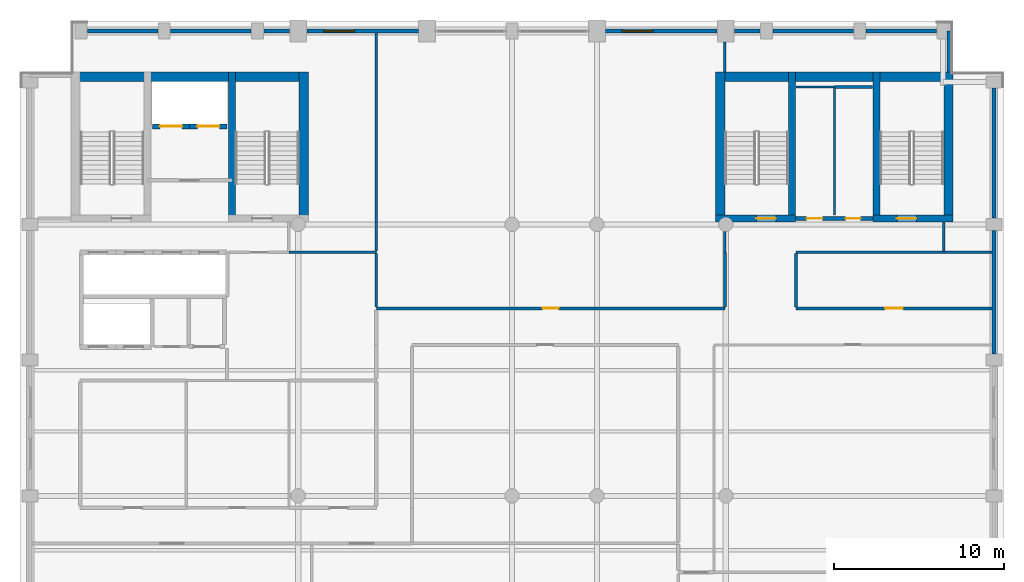
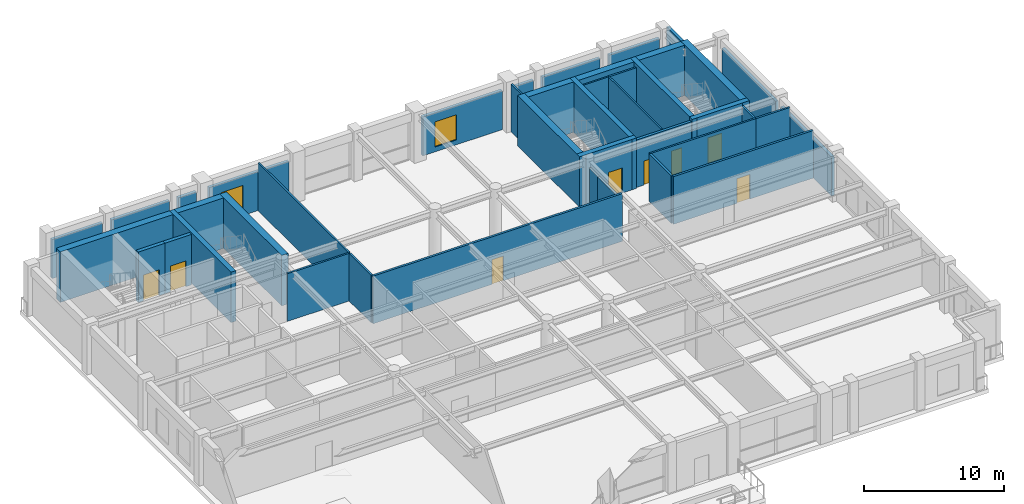
# One storey, part 9 of 13: 39 walls, 8 doors, 2 windows, 10 openings.
"""IFC4 building model written with IfcOpenShell, lengths in metres."""

from ifc_helpers import new_model, si_unit, direction, frame, frame_2d, origin, place, context, subcontext, project, spatial, rectangle, extrude, material, layer, layer_set, type_object, element, fill, save


model = new_model("IFC4")

# Units and contexts
model_context = context("Model", 3, precision=1e-05, world=origin(), true_north=direction((0.0, 1.0)))
body_context = subcontext(model_context, "Body", "Model", "MODEL_VIEW")
ifc_project = project(units=[si_unit("LENGTHUNIT", "METRE"), si_unit("AREAUNIT", "SQUARE_METRE"), si_unit("VOLUMEUNIT", "CUBIC_METRE"), si_unit("PLANEANGLEUNIT", "RADIAN"), si_unit("MASSUNIT", "GRAM", prefix="KILO")], contexts=[model_context])

# Site, building, storey
site_placement = place(None, origin())
site = spatial("IfcSite", under=ifc_project, at=site_placement, CompositionType="ELEMENT")
building_placement = place(site_placement, origin())
building = spatial("IfcBuilding", under=site, at=building_placement, Name="Sulina Concourse Tower", CompositionType="ELEMENT")
storey_placement = place(building_placement, frame((0.0, 0.0, 280.60009765625)))
storey = spatial("IfcBuildingStorey", under=building, at=storey_placement, Name="L68", CompositionType="ELEMENT", Elevation=280.60009765625)

# Wall, opening, door
ifc_material_1 = material(Name="Concrete C50/60", Category="concrete")
ifc_layer_1 = layer(ifc_material_1, 0.300048828125)
ifc_layer_set_1 = layer_set([ifc_layer_1], Name="Concrete C50/60")
wall_type_1 = type_object("IfcWallType", Name="Core Lift Hoistway Wall 300mm", PredefinedType="SOLIDWALL", material=ifc_layer_set_1)
wall_1_placement = place(storey_placement, frame((10.0, 39.780029296875, 0.0), z_axis=(0.0, 0.0, 1.0), x_axis=(-1.0, 0.0, 0.0)))
wall_1 = element("IfcWall", 1, at=wall_1_placement, inside=storey, type_object=wall_type_1, Name="L68 hoistway enclosure wall FFL-1", PredefinedType="SOLIDWALL", context=body_context, shape_type="SweptSolid", body=[
    extrude(rectangle(XDim=2.199951171875, YDim=0.300048828125, at=frame_2d((1.10009765625, 0.0))), origin(), (0.0, 0.0, 1.0), 4.39990234375),
])
opening_1_placement = place(wall_1_placement, frame((0.449951171875, 0.0, 0.0)))
opening_1 = element("IfcOpeningElement", 2, at=opening_1_placement, cuts=wall_1, Name="Opening LD-02", PredefinedType="OPENING", context=body_context, shape_type="SweptSolid", body=[
    extrude(rectangle(XDim=1.300048828125, YDim=2.25, at=frame_2d((0.64990234375, 1.125))), frame((0.0, 0.159912109375, 0.0), z_axis=(0.0, -1.0, 0.0), x_axis=(1.0, 0.0, 0.0)), (0.0, 0.0, 1.0), 0.320068359375),
])
ifc_material_2 = material(Name="Stainless steel lift landing door", Category="steel")
ifc_layer_2 = layer(ifc_material_2, 0.050048828125)
ifc_layer_set_2 = layer_set([ifc_layer_2], Name="Stainless steel lift landing door")
door_type_1 = type_object("IfcDoorType", Name="Firefighting Lift Sliding Landing Door 1300x2250", OperationType="SLIDING_TO_RIGHT", PredefinedType="DOOR", material=ifc_layer_set_2)
door_1_placement = place(opening_1_placement, origin())
door_1 = element("IfcDoor", 3, at=door_1_placement, inside=storey, type_object=door_type_1, Name="L68 lift landing sliding door FFL-1", OperationType="SLIDING_TO_LEFT", OverallHeight=2.25, OverallWidth=1.300048828125, PredefinedType="DOOR", context=body_context, shape_type="SweptSolid", body=[
    extrude(rectangle(XDim=1.300048828125, YDim=2.25, at=frame_2d((0.64990234375, 1.125))), frame((0.0, 0.02490234375, 0.0), z_axis=(0.0, -1.0, 0.0), x_axis=(1.0, 0.0, 0.0)), (0.0, 0.0, 1.0), 0.050048828125),
])
fill(opening_1, door_1)

wall_2_placement = place(storey_placement, frame((12.199951171875, 39.780029296875, 0.0), z_axis=(0.0, 0.0, 1.0), x_axis=(-1.0, 0.0, 0.0)))
wall_2 = element("IfcWall", 4, at=wall_2_placement, inside=storey, type_object=wall_type_1, Name="L68 hoistway enclosure wall FFL-2", PredefinedType="SOLIDWALL", context=body_context, shape_type="SweptSolid", body=[
    extrude(rectangle(XDim=2.199951171875, YDim=0.300048828125, at=frame_2d((1.10009765625, 0.0))), origin(), (0.0, 0.0, 1.0), 4.39990234375),
])
opening_2_placement = place(wall_2_placement, frame((0.449951171875, 0.0, 0.0)))
opening_2 = element("IfcOpeningElement", 5, at=opening_2_placement, cuts=wall_2, Name="Opening LD-02", PredefinedType="OPENING", context=body_context, shape_type="SweptSolid", body=[
    extrude(rectangle(XDim=1.300048828125, YDim=2.25, at=frame_2d((0.64990234375, 1.125))), frame((0.0, 0.159912109375, 0.0), z_axis=(0.0, -1.0, 0.0), x_axis=(1.0, 0.0, 0.0)), (0.0, 0.0, 1.0), 0.320068359375),
])
door_2_placement = place(opening_2_placement, origin())
door_2 = element("IfcDoor", 6, at=door_2_placement, inside=storey, type_object=door_type_1, Name="L68 lift landing sliding door FFL-2", OperationType="SLIDING_TO_RIGHT", OverallHeight=2.25, OverallWidth=1.300048828125, PredefinedType="DOOR", context=body_context, shape_type="SweptSolid", body=[
    extrude(rectangle(XDim=1.300048828125, YDim=2.25, at=frame_2d((0.64990234375, 1.125))), frame((0.0, 0.02490234375, 0.0), z_axis=(0.0, -1.0, 0.0), x_axis=(1.0, 0.0, 0.0)), (0.0, 0.0, 1.0), 0.050048828125),
])
fill(opening_2, door_2)

# Walls
ifc_material_3 = material(Name="Precast concrete C50/60", Category="concrete")
ifc_layer_3 = layer(ifc_material_3, 0.239990234375)
ifc_layer_set_3 = layer_set([ifc_layer_3], Name="Precast concrete C50/60")
wall_type_2 = type_object("IfcWallType", Name="Crown Precast Masonry-Frame Facade Wall 240mm", PredefinedType="SOLIDWALL", material=ifc_layer_set_3)
wall_3_placement = place(storey_placement, frame((3.969970703125, 45.39990234375, 0.0), z_axis=(0.0, 0.0, 1.0), x_axis=(1.0, 0.0, 0.0)))
element("IfcWall", 7, at=wall_3_placement, inside=storey, type_object=wall_type_2, Name="L68 exterior precast wall N1", PredefinedType="SOLIDWALL", context=body_context, shape_type="SweptSolid", body=[
    extrude(rectangle(XDim=4.159912109375, YDim=0.239990234375, at=frame_2d((2.080078125, 0.0))), origin(), (0.0, 0.0, 1.0), 3.39990234375),
])
wall_4_placement = place(storey_placement, frame((8.8701171875, 45.39990234375, 0.0), z_axis=(0.0, 0.0, 1.0), x_axis=(1.0, 0.0, 0.0)))
element("IfcWall", 8, at=wall_4_placement, inside=storey, type_object=wall_type_2, Name="L68 exterior precast wall N2", PredefinedType="SOLIDWALL", context=body_context, shape_type="SweptSolid", body=[
    extrude(rectangle(XDim=4.759765625, YDim=0.239990234375, at=frame_2d((2.3798828125, 0.0))), origin(), (0.0, 0.0, 1.0), 3.39990234375),
])
wall_5_placement = place(storey_placement, frame((14.3701171875, 45.39990234375, 0.0), z_axis=(0.0, 0.0, 1.0), x_axis=(1.0, 0.0, 0.0)))
element("IfcWall", 9, at=wall_5_placement, inside=storey, type_object=wall_type_2, Name="L68 exterior precast wall N3", PredefinedType="SOLIDWALL", context=body_context, shape_type="SweptSolid", body=[
    extrude(rectangle(XDim=1.509765625, YDim=0.239990234375, at=frame_2d((0.7548828125, 0.0))), origin(), (0.0, 0.0, 1.0), 3.39990234375),
])

# Wall, opening, window
wall_6_placement = place(storey_placement, frame((16.919921875, 45.39990234375, 0.0), z_axis=(0.0, 0.0, 1.0), x_axis=(1.0, 0.0, 0.0)))
wall_6 = element("IfcWall", 10, at=wall_6_placement, inside=storey, type_object=wall_type_2, Name="L68 exterior precast wall N4", PredefinedType="SOLIDWALL", context=body_context, shape_type="SweptSolid", body=[
    extrude(rectangle(XDim=6.56005859375, YDim=0.239990234375, at=frame_2d((3.280029296875, 0.0))), origin(), (0.0, 0.0, 1.0), 3.39990234375),
])
opening_3_placement = place(wall_6_placement, frame((0.98681640625, 0.0, 0.419921875)))
opening_3 = element("IfcOpeningElement", 11, at=opening_3_placement, cuts=wall_6, Name="Opening WN-25", PredefinedType="OPENING", context=body_context, shape_type="SweptSolid", body=[
    extrude(rectangle(XDim=1.800048828125, YDim=2.199951171875, at=frame_2d((0.89990234375, 1.10009765625))), frame((0.0, 0.1298828125, 0.0), z_axis=(0.0, -1.0, 0.0), x_axis=(1.0, 0.0, 0.0)), (0.0, 0.0, 1.0), 0.260009765625),
])
ifc_material_4 = material(Name="Low-E solar double glazing in bronze aluminium", Category="aluminium")
window_type = type_object("IfcWindowType", Name="Punched Masonry-Frame Window 1800x2200", PartitioningType="SINGLE_PANEL", PredefinedType="WINDOW", material=ifc_material_4)
window_1_placement = place(opening_3_placement, origin())
window_1 = element("IfcWindow", 12, at=window_1_placement, inside=storey, type_object=window_type, Name="L68 punched window N4-1", OverallHeight=2.199951171875, OverallWidth=1.800048828125, PartitioningType="SINGLE_PANEL", PredefinedType="WINDOW", context=body_context, shape_type="SweptSolid", body=[
    extrude(rectangle(XDim=1.800048828125, YDim=2.199951171875, at=frame_2d((0.89990234375, 1.10009765625))), frame((0.0, 0.030029296875, 0.0), z_axis=(0.0, -1.0, 0.0), x_axis=(1.0, 0.0, 0.0)), (0.0, 0.0, 1.0), 0.06005859375),
])
fill(opening_3, window_1)

wall_7_placement = place(storey_placement, frame((34.52001953125, 45.39990234375, 0.0), z_axis=(0.0, 0.0, 1.0), x_axis=(1.0, 0.0, 0.0)))
wall_7 = element("IfcWall", 13, at=wall_7_placement, inside=storey, type_object=wall_type_2, Name="L68 exterior precast wall N7", PredefinedType="SOLIDWALL", context=body_context, shape_type="SweptSolid", body=[
    extrude(rectangle(XDim=6.56005859375, YDim=0.239990234375, at=frame_2d((3.280029296875, 0.0))), origin(), (0.0, 0.0, 1.0), 3.39990234375),
])
opening_4_placement = place(wall_7_placement, frame((0.98681640625, 0.0, 0.419921875)))
opening_4 = element("IfcOpeningElement", 14, at=opening_4_placement, cuts=wall_7, Name="Opening WN-25", PredefinedType="OPENING", context=body_context, shape_type="SweptSolid", body=[
    extrude(rectangle(XDim=1.800048828125, YDim=2.199951171875, at=frame_2d((0.89990234375, 1.10009765625))), frame((0.0, 0.1298828125, 0.0), z_axis=(0.0, -1.0, 0.0), x_axis=(1.0, 0.0, 0.0)), (0.0, 0.0, 1.0), 0.260009765625),
])
window_2_placement = place(opening_4_placement, origin())
window_2 = element("IfcWindow", 15, at=window_2_placement, inside=storey, type_object=window_type, Name="L68 punched window N7-1", OverallHeight=2.199951171875, OverallWidth=1.800048828125, PartitioningType="SINGLE_PANEL", PredefinedType="WINDOW", context=body_context, shape_type="SweptSolid", body=[
    extrude(rectangle(XDim=1.800048828125, YDim=2.199951171875, at=frame_2d((0.89990234375, 1.10009765625))), frame((0.0, 0.030029296875, 0.0), z_axis=(0.0, -1.0, 0.0), x_axis=(1.0, 0.0, 0.0)), (0.0, 0.0, 1.0), 0.06005859375),
])
fill(opening_4, window_2)

# Walls
wall_8_placement = place(storey_placement, frame((42.1201171875, 45.39990234375, 0.0), z_axis=(0.0, 0.0, 1.0), x_axis=(1.0, 0.0, 0.0)))
element("IfcWall", 16, at=wall_8_placement, inside=storey, type_object=wall_type_2, Name="L68 exterior precast wall N8", PredefinedType="SOLIDWALL", context=body_context, shape_type="SweptSolid", body=[
    extrude(rectangle(XDim=1.509765625, YDim=0.239990234375, at=frame_2d((0.7548828125, 0.0))), origin(), (0.0, 0.0, 1.0), 3.39990234375),
])
wall_9_placement = place(storey_placement, frame((44.3701171875, 45.39990234375, 0.0), z_axis=(0.0, 0.0, 1.0), x_axis=(1.0, 0.0, 0.0)))
element("IfcWall", 17, at=wall_9_placement, inside=storey, type_object=wall_type_2, Name="L68 exterior precast wall N9", PredefinedType="SOLIDWALL", context=body_context, shape_type="SweptSolid", body=[
    extrude(rectangle(XDim=4.759765625, YDim=0.239990234375, at=frame_2d((2.3798828125, 0.0))), origin(), (0.0, 0.0, 1.0), 3.39990234375),
])
wall_10_placement = place(storey_placement, frame((49.8701171875, 45.39990234375, 0.0), z_axis=(0.0, 0.0, 1.0), x_axis=(1.0, 0.0, 0.0)))
element("IfcWall", 18, at=wall_10_placement, inside=storey, type_object=wall_type_2, Name="L68 exterior precast wall N10", PredefinedType="SOLIDWALL", context=body_context, shape_type="SweptSolid", body=[
    extrude(rectangle(XDim=4.159912109375, YDim=0.239990234375, at=frame_2d((2.080078125, 0.0))), origin(), (0.0, 0.0, 1.0), 3.39990234375),
])
wall_11_placement = place(storey_placement, frame((57.39990234375, 33.6298828125, 0.0), z_axis=(0.0, 0.0, 1.0), x_axis=(0.0, -1.0, 0.0)))
element("IfcWall", 19, at=wall_11_placement, inside=storey, type_object=wall_type_2, Name="L68 exterior precast wall E4", PredefinedType="SOLIDWALL", context=body_context, shape_type="SweptSolid", body=[
    extrude(rectangle(XDim=7.259765625, YDim=0.239990234375, at=frame_2d((3.6298828125, 0.0))), origin(), (0.0, 0.0, 1.0), 3.39990234375),
])
wall_12_placement = place(storey_placement, frame((57.39990234375, 42.030029296875, 0.0), z_axis=(0.0, 0.0, 1.0), x_axis=(0.0, -1.0, 0.0)))
element("IfcWall", 20, at=wall_12_placement, inside=storey, type_object=wall_type_2, Name="L68 exterior precast wall E5", PredefinedType="SOLIDWALL", context=body_context, shape_type="SweptSolid", body=[
    extrude(rectangle(XDim=7.659912109375, YDim=0.239990234375, at=frame_2d((3.830078125, 0.0))), origin(), (0.0, 0.0, 1.0), 3.39990234375),
])
wall_13_placement = place(storey_placement, frame((54.77001953125, 45.39990234375, 0.0), z_axis=(0.0, 0.0, 1.0), x_axis=(0.0, -1.0, 0.0)))
element("IfcWall", 21, at=wall_13_placement, inside=storey, type_object=wall_type_2, Name="L68 exterior precast wall CNE1", PredefinedType="SOLIDWALL", context=body_context, shape_type="SweptSolid", body=[
    extrude(rectangle(XDim=2.414794921875, YDim=0.239990234375, at=frame_2d((1.20751953125, 0.0))), origin(), (0.0, 0.0, 1.0), 4.14990234375),
])

# Wall, openings, doors
ifc_material_5 = material(Name="Gypsum board on steel stud", Category="steel")
ifc_layer_4 = layer(ifc_material_5, 0.219970703125)
ifc_layer_set_4 = layer_set([ifc_layer_4], Name="Gypsum board on steel stud")
wall_type_3 = type_object("IfcWallType", Name="Fire-Rated Lobby & Compartment Wall 220mm", PredefinedType="PARTITIONING", material=ifc_layer_set_4)
wall_14_placement = place(storey_placement, frame((45.719970703125, 34.35009765625, 0.0), z_axis=(0.0, 0.0, 1.0), x_axis=(1.0, 0.0, 0.0)))
wall_14 = element("IfcWall", 22, at=wall_14_placement, inside=storey, type_object=wall_type_3, Name="L68 east core south lobby wall", PredefinedType="PARTITIONING", context=body_context, shape_type="SweptSolid", body=[
    extrude(rectangle(XDim=4.56005859375, YDim=0.219970703125, at=frame_2d((2.280029296875, 0.0))), origin(), (0.0, 0.0, 1.0), 4.14990234375),
])
opening_5_placement = place(wall_14_placement, frame((0.64990234375, 0.0, 0.0)))
opening_5 = element("IfcOpeningElement", 23, at=opening_5_placement, cuts=wall_14, Name="Opening DR-61", PredefinedType="OPENING", context=body_context, shape_type="SweptSolid", body=[
    extrude(rectangle(XDim=0.919921875, YDim=2.10009765625, at=frame_2d((0.4599609375, 1.050048828125))), frame((0.0, 0.119873046875, 0.0), z_axis=(0.0, -1.0, 0.0), x_axis=(1.0, 0.0, 0.0)), (0.0, 0.0, 1.0), 0.239990234375),
])
opening_6_placement = place(wall_14_placement, frame((2.949951171875, 0.0, 0.0)))
opening_6 = element("IfcOpeningElement", 24, at=opening_6_placement, cuts=wall_14, Name="Opening DR-38", PredefinedType="OPENING", context=body_context, shape_type="SweptSolid", body=[
    extrude(rectangle(XDim=0.8798828125, YDim=2.10009765625, at=frame_2d((0.43994140625, 1.050048828125))), frame((0.0, 0.119873046875, 0.0), z_axis=(0.0, -1.0, 0.0), x_axis=(1.0, 0.0, 0.0)), (0.0, 0.0, 1.0), 0.239990234375),
])
ifc_material_6 = material(Name="Oak-veneered fire door leaf")
ifc_layer_5 = layer(ifc_material_6, 0.050048828125)
ifc_layer_set_5 = layer_set([ifc_layer_5], Name="Oak-veneered fire door leaf")
door_type_2 = type_object("IfcDoorType", Name="Accessible WC Door 920x2100", OperationType="NOTDEFINED", PredefinedType="DOOR", material=ifc_layer_set_5)
door_3_placement = place(opening_5_placement, origin())
door_3 = element("IfcDoor", 25, at=door_3_placement, inside=storey, type_object=door_type_2, Name="L68 east core accessible wc door", OperationType="SINGLE_SWING_LEFT", OverallHeight=2.10009765625, OverallWidth=0.919921875, PredefinedType="DOOR", context=body_context, shape_type="SweptSolid", body=[
    extrude(rectangle(XDim=0.919921875, YDim=2.10009765625, at=frame_2d((0.4599609375, 1.050048828125))), frame((0.0, 0.02490234375, 0.0), z_axis=(0.0, -1.0, 0.0), x_axis=(1.0, 0.0, 0.0)), (0.0, 0.0, 1.0), 0.050048828125),
])
fill(opening_5, door_3)
ifc_material_7 = material(Name="Galvanised steel acoustic fire leaf", Category="steel")
ifc_layer_6 = layer(ifc_material_7, 0.050048828125)
ifc_layer_set_6 = layer_set([ifc_layer_6], Name="Galvanised steel acoustic fire leaf")
door_type_3 = type_object("IfcDoorType", Name="Service Riser Fire Door 880x2100", OperationType="NOTDEFINED", PredefinedType="DOOR", material=ifc_layer_set_6)
door_4_placement = place(opening_6_placement, origin())
door_4 = element("IfcDoor", 26, at=door_4_placement, inside=storey, type_object=door_type_3, Name="L68 east core store door", OperationType="SINGLE_SWING_RIGHT", OverallHeight=2.10009765625, OverallWidth=0.8798828125, PredefinedType="DOOR", context=body_context, shape_type="SweptSolid", body=[
    extrude(rectangle(XDim=0.8798828125, YDim=2.10009765625, at=frame_2d((0.43994140625, 1.050048828125))), frame((0.0, 0.02490234375, 0.0), z_axis=(0.0, -1.0, 0.0), x_axis=(1.0, 0.0, 0.0)), (0.0, 0.0, 1.0), 0.050048828125),
])
fill(opening_6, door_4)

# Walls
ifc_material_8 = material(Name="Gypsum board on steel stud", Category="steel")
ifc_layer_7 = layer(ifc_material_8, 0.14990234375)
ifc_layer_set_7 = layer_set([ifc_layer_7], Name="Gypsum board on steel stud")
wall_type_4 = type_object("IfcWallType", Name="Inter-Tenancy Acoustic Partition 150mm", PredefinedType="PARTITIONING", material=ifc_layer_set_7)
wall_15_placement = place(storey_placement, frame((15.85009765625, 32.35009765625, 0.0), z_axis=(0.0, 0.0, 1.0), x_axis=(1.0, 0.0, 0.0)))
element("IfcWall", 27, at=wall_15_placement, inside=storey, type_object=wall_type_4, Name="L68 interior partition 020", PredefinedType="PARTITIONING", context=body_context, shape_type="SweptSolid", body=[
    extrude(rectangle(XDim=5.14990234375, YDim=0.14990234375, at=frame_2d((2.574951171875, 0.0))), origin(), (0.0, 0.0, 1.0), 4.14990234375),
])
wall_16_placement = place(storey_placement, frame((45.75, 32.35009765625, 0.0), z_axis=(0.0, 0.0, 1.0), x_axis=(1.0, 0.0, 0.0)))
element("IfcWall", 28, at=wall_16_placement, inside=storey, type_object=wall_type_4, Name="L68 interior partition 021", PredefinedType="PARTITIONING", context=body_context, shape_type="SweptSolid", body=[
    extrude(rectangle(XDim=8.699951171875, YDim=0.14990234375, at=frame_2d((4.35009765625, 0.0))), origin(), (0.0, 0.0, 1.0), 4.14990234375),
])
wall_17_placement = place(storey_placement, frame((54.449951171875, 32.35009765625, 0.0), z_axis=(0.0, 0.0, 1.0), x_axis=(1.0, 0.0, 0.0)))
element("IfcWall", 29, at=wall_17_placement, inside=storey, type_object=wall_type_4, Name="L68 interior partition 022", PredefinedType="PARTITIONING", context=body_context, shape_type="SweptSolid", body=[
    extrude(rectangle(XDim=2.830078125, YDim=0.14990234375, at=frame_2d((1.4150390625, 0.0))), origin(), (0.0, 0.0, 1.0), 4.14990234375),
])
wall_18_placement = place(storey_placement, frame((48.0, 42.10009765625, 0.0), z_axis=(0.0, 0.0, 1.0), x_axis=(1.0, 0.0, 0.0)))
element("IfcWall", 30, at=wall_18_placement, inside=storey, type_object=wall_type_4, Name="L68 interior partition 025", PredefinedType="PARTITIONING", context=body_context, shape_type="SweptSolid", body=[
    extrude(rectangle(XDim=2.25, YDim=0.14990234375, at=frame_2d((1.125, 0.0))), origin(), (0.0, 0.0, 1.0), 4.14990234375),
])
wall_19_placement = place(storey_placement, frame((21.0, 29.139892578125, 0.0), z_axis=(0.0, 0.0, 1.0), x_axis=(0.0, 1.0, 0.0)))
element("IfcWall", 31, at=wall_19_placement, inside=storey, type_object=wall_type_4, Name="L68 interior partition 037", PredefinedType="PARTITIONING", context=body_context, shape_type="SweptSolid", body=[
    extrude(rectangle(XDim=3.135009765625, YDim=0.14990234375, at=frame_2d((1.5673828125, 0.0))), origin(), (0.0, 0.0, 1.0), 4.14990234375),
])
wall_20_placement = place(storey_placement, frame((21.0, 32.425048828125, 0.0), z_axis=(0.0, 0.0, 1.0), x_axis=(0.0, 1.0, 0.0)))
element("IfcWall", 32, at=wall_20_placement, inside=storey, type_object=wall_type_4, Name="L68 interior partition 038", PredefinedType="PARTITIONING", context=body_context, shape_type="SweptSolid", body=[
    extrude(rectangle(XDim=12.85498046875, YDim=0.14990234375, at=frame_2d((6.427490234375, 0.0))), origin(), (0.0, 0.0, 1.0), 4.14990234375),
])
wall_21_placement = place(storey_placement, frame((41.550048828125, 32.35009765625, 0.0), z_axis=(0.0, 0.0, 1.0), x_axis=(0.0, 1.0, 0.0)))
element("IfcWall", 33, at=wall_21_placement, inside=storey, type_object=wall_type_4, Name="L68 interior partition 046", PredefinedType="PARTITIONING", context=body_context, shape_type="SweptSolid", body=[
    extrude(rectangle(XDim=1.224853515625, YDim=0.14990234375, at=frame_2d((0.6123046875, 0.0))), origin(), (0.0, 0.0, 1.0), 3.594970703125),
])
wall_22_placement = place(storey_placement, frame((41.550048828125, 42.97998046875, 0.0), z_axis=(0.0, 0.0, 1.0), x_axis=(0.0, 1.0, 0.0)))
element("IfcWall", 34, at=wall_22_placement, inside=storey, type_object=wall_type_4, Name="L68 interior partition 047", PredefinedType="PARTITIONING", context=body_context, shape_type="SweptSolid", body=[
    extrude(rectangle(XDim=1.77001953125, YDim=0.14990234375, at=frame_2d((0.885009765625, 0.0))), origin(), (0.0, 0.0, 1.0), 4.14990234375),
])
wall_23_placement = place(storey_placement, frame((54.449951171875, 32.425048828125, 0.0), z_axis=(0.0, 0.0, 1.0), x_axis=(0.0, 1.0, 0.0)))
element("IfcWall", 35, at=wall_23_placement, inside=storey, type_object=wall_type_4, Name="L68 interior partition 050", PredefinedType="PARTITIONING", context=body_context, shape_type="SweptSolid", body=[
    extrude(rectangle(XDim=1.724853515625, YDim=0.14990234375, at=frame_2d((0.8623046875, 0.0))), origin(), (0.0, 0.0, 1.0), 4.14990234375),
])

# Wall, opening, door
ifc_material_9 = material(Name="Gypsum board on steel stud", Category="steel")
ifc_layer_8 = layer(ifc_material_9, 0.179931640625)
ifc_layer_set_8 = layer_set([ifc_layer_8], Name="Gypsum board on steel stud")
wall_type_5 = type_object("IfcWallType", Name="Protected Corridor & Riser Partition 180mm", PredefinedType="PARTITIONING", material=ifc_layer_set_8)
wall_24_placement = place(storey_placement, frame((21.0, 29.050048828125, 0.0), z_axis=(0.0, 0.0, 1.0), x_axis=(1.0, 0.0, 0.0)))
wall_24 = element("IfcWall", 36, at=wall_24_placement, inside=storey, type_object=wall_type_5, Name="L68 interior partition 017", PredefinedType="PARTITIONING", context=body_context, shape_type="SweptSolid", body=[
    extrude(rectangle(XDim=20.550048828125, YDim=0.179931640625, at=frame_2d((10.27490234375, 0.0))), origin(), (0.0, 0.0, 1.0), 4.14990234375),
])
opening_7_placement = place(wall_24_placement, frame((9.800048828125, 0.0, 0.0)))
opening_7 = element("IfcOpeningElement", 37, at=opening_7_placement, cuts=wall_24, Name="Opening DR-19", PredefinedType="OPENING", context=body_context, shape_type="SweptSolid", body=[
    extrude(rectangle(XDim=0.949951171875, YDim=2.14990234375, at=frame_2d((0.47509765625, 1.074951171875))), frame((0.0, 0.099853515625, 0.0), z_axis=(0.0, -1.0, 0.0), x_axis=(1.0, 0.0, 0.0)), (0.0, 0.0, 1.0), 0.199951171875),
])
ifc_material_10 = material(Name="Oak-veneered acoustic timber leaf", Category="wood")
ifc_layer_9 = layer(ifc_material_10, 0.050048828125)
ifc_layer_set_9 = layer_set([ifc_layer_9], Name="Oak-veneered acoustic timber leaf")
door_type_4 = type_object("IfcDoorType", Name="Cellular Office & Meeting Door 950x2150", OperationType="NOTDEFINED", PredefinedType="DOOR", material=ifc_layer_set_9)
door_5_placement = place(opening_7_placement, origin())
door_5 = element("IfcDoor", 38, at=door_5_placement, inside=storey, type_object=door_type_4, Name="L68 interior door L68-JUICE-N", OperationType="SINGLE_SWING_RIGHT", OverallHeight=2.14990234375, OverallWidth=0.949951171875, PredefinedType="DOOR", context=body_context, shape_type="SweptSolid", body=[
    extrude(rectangle(XDim=0.949951171875, YDim=2.14990234375, at=frame_2d((0.47509765625, 1.074951171875))), frame((0.0, 0.02490234375, 0.0), z_axis=(0.0, -1.0, 0.0), x_axis=(1.0, 0.0, 0.0)), (0.0, 0.0, 1.0), 0.050048828125),
])
fill(opening_7, door_5)

wall_25_placement = place(storey_placement, frame((45.75, 29.050048828125, 0.0), z_axis=(0.0, 0.0, 1.0), x_axis=(1.0, 0.0, 0.0)))
wall_25 = element("IfcWall", 39, at=wall_25_placement, inside=storey, type_object=wall_type_5, Name="L68 interior partition 018", PredefinedType="PARTITIONING", context=body_context, shape_type="SweptSolid", body=[
    extrude(rectangle(XDim=11.530029296875, YDim=0.179931640625, at=frame_2d((5.76513671875, 0.0))), origin(), (0.0, 0.0, 1.0), 4.14990234375),
])
opening_8_placement = place(wall_25_placement, frame((5.239990234375, 0.0, 0.0)))
opening_8 = element("IfcOpeningElement", 40, at=opening_8_placement, cuts=wall_25, Name="Opening DR-37", PredefinedType="OPENING", context=body_context, shape_type="SweptSolid", body=[
    extrude(rectangle(XDim=1.050048828125, YDim=2.14990234375, at=frame_2d((0.52490234375, 1.074951171875))), frame((0.0, 0.099853515625, 0.0), z_axis=(0.0, -1.0, 0.0), x_axis=(1.0, 0.0, 0.0)), (0.0, 0.0, 1.0), 0.199951171875),
])
ifc_material_11 = material(Name="Oak-veneered fire door leaf")
ifc_layer_10 = layer(ifc_material_11, 0.050048828125)
ifc_layer_set_10 = layer_set([ifc_layer_10], Name="Oak-veneered fire door leaf")
door_type_5 = type_object("IfcDoorType", Name="Tenant Suite Entrance Fire Door 1050x2150", OperationType="NOTDEFINED", PredefinedType="DOOR", material=ifc_layer_set_10)
door_6_placement = place(opening_8_placement, origin())
door_6 = element("IfcDoor", 41, at=door_6_placement, inside=storey, type_object=door_type_5, Name="L68 interior door L68-OFF-MGT", OperationType="SINGLE_SWING_LEFT", OverallHeight=2.14990234375, OverallWidth=1.050048828125, PredefinedType="DOOR", context=body_context, shape_type="SweptSolid", body=[
    extrude(rectangle(XDim=1.050048828125, YDim=2.14990234375, at=frame_2d((0.52490234375, 1.074951171875))), frame((0.0, 0.02490234375, 0.0), z_axis=(0.0, -1.0, 0.0), x_axis=(1.0, 0.0, 0.0)), (0.0, 0.0, 1.0), 0.050048828125),
])
fill(opening_8, door_6)

# Walls
wall_26_placement = place(storey_placement, frame((41.550048828125, 29.139892578125, 0.0), z_axis=(0.0, 0.0, 1.0), x_axis=(0.0, 1.0, 0.0)))
element("IfcWall", 42, at=wall_26_placement, inside=storey, type_object=wall_type_5, Name="L68 interior partition 045", PredefinedType="PARTITIONING", context=body_context, shape_type="SweptSolid", body=[
    extrude(rectangle(XDim=3.210205078125, YDim=0.179931640625, at=frame_2d((1.60498046875, 0.0))), origin(), (0.0, 0.0, 1.0), 3.594970703125),
])
wall_27_placement = place(storey_placement, frame((45.75, 29.139892578125, 0.0), z_axis=(0.0, 0.0, 1.0), x_axis=(0.0, 1.0, 0.0)))
element("IfcWall", 43, at=wall_27_placement, inside=storey, type_object=wall_type_5, Name="L68 interior partition 048", PredefinedType="PARTITIONING", context=body_context, shape_type="SweptSolid", body=[
    extrude(rectangle(XDim=3.135009765625, YDim=0.179931640625, at=frame_2d((1.5673828125, 0.0))), origin(), (0.0, 0.0, 1.0), 4.14990234375),
])
ifc_material_12 = material(Name="Concrete C60/75", Category="concrete")
ifc_layer_11 = layer(ifc_material_12, 0.39990234375)
ifc_layer_set_11 = layer_set([ifc_layer_11], Name="Concrete C60/75")
wall_type_6 = type_object("IfcWallType", Name="Protected Stair Core Shear Wall 400mm", PredefinedType="SHEAR", material=ifc_layer_set_11)
wall_28_placement = place(storey_placement, frame((12.489990234375, 34.14990234375, 0.0), z_axis=(0.0, 0.0, 1.0), x_axis=(0.0, 1.0, 0.0)))
element("IfcWall", 44, at=wall_28_placement, inside=storey, type_object=wall_type_6, Name="L68 west core shear wall SW-ST2", PredefinedType="SHEAR", context=body_context, shape_type="SweptSolid", body=[
    extrude(rectangle(XDim=8.830078125, YDim=0.39990234375, at=frame_2d((4.4150390625, 0.0))), origin(), (0.0, 0.0, 1.0), 4.39990234375),
])

# Wall, opening, door
wall_29_placement = place(storey_placement, frame((41.0, 34.35009765625, 0.0), z_axis=(0.0, 0.0, 1.0), x_axis=(1.0, 0.0, 0.0)))
wall_29 = element("IfcWall", 45, at=wall_29_placement, inside=storey, type_object=wall_type_6, Name="L68 east core shear wall CW-ES1", PredefinedType="SHEAR", context=body_context, shape_type="SweptSolid", body=[
    extrude(rectangle(XDim=4.7099609375, YDim=0.39990234375, at=frame_2d((2.35498046875, 0.0))), origin(), (0.0, 0.0, 1.0), 4.39990234375),
])
opening_9_placement = place(wall_29_placement, frame((2.39990234375, 0.0, 0.0)))
opening_9 = element("IfcOpeningElement", 46, at=opening_9_placement, cuts=wall_29, Name="Opening DR-60", PredefinedType="OPENING", context=body_context, shape_type="SweptSolid", body=[
    extrude(rectangle(XDim=1.14990234375, YDim=2.199951171875, at=frame_2d((0.574951171875, 1.10009765625))), frame((0.0, 0.2099609375, 0.0), z_axis=(0.0, -1.0, 0.0), x_axis=(1.0, 0.0, 0.0)), (0.0, 0.0, 1.0), 0.419921875),
])
ifc_material_13 = material(Name="Galvanised steel acoustic fire leaf", Category="steel")
ifc_layer_12 = layer(ifc_material_13, 0.054931640625)
ifc_layer_set_12 = layer_set([ifc_layer_12], Name="Galvanised steel acoustic fire leaf")
door_type_6 = type_object("IfcDoorType", Name="Protected Exit Stair Fire Door 1150x2200", OperationType="NOTDEFINED", PredefinedType="DOOR", material=ifc_layer_set_12)
door_7_placement = place(opening_9_placement, origin())
door_7 = element("IfcDoor", 47, at=door_7_placement, inside=storey, type_object=door_type_6, Name="L68 stair ST-3 south lobby fire door", OperationType="SINGLE_SWING_RIGHT", OverallHeight=2.199951171875, OverallWidth=1.14990234375, PredefinedType="DOOR", context=body_context, shape_type="SweptSolid", body=[
    extrude(rectangle(XDim=1.14990234375, YDim=2.199951171875, at=frame_2d((0.574951171875, 1.10009765625))), frame((0.0, 0.02490234375, 0.0), z_axis=(0.0, -1.0, 0.0), x_axis=(1.0, 0.0, 0.0)), (0.0, 0.0, 1.0), 0.050048828125),
])
fill(opening_9, door_7)

# Wall
wall_30_placement = place(storey_placement, frame((45.510009765625, 34.14990234375, 0.0), z_axis=(0.0, 0.0, 1.0), x_axis=(0.0, 1.0, 0.0)))
element("IfcWall", 48, at=wall_30_placement, inside=storey, type_object=wall_type_6, Name="L68 east core shear wall SW-ST3", PredefinedType="SHEAR", context=body_context, shape_type="SweptSolid", body=[
    extrude(rectangle(XDim=8.830078125, YDim=0.39990234375, at=frame_2d((4.4150390625, 0.0))), origin(), (0.0, 0.0, 1.0), 4.39990234375),
])

# Wall, opening, door
wall_31_placement = place(storey_placement, frame((50.2900390625, 34.35009765625, 0.0), z_axis=(0.0, 0.0, 1.0), x_axis=(1.0, 0.0, 0.0)))
wall_31 = element("IfcWall", 49, at=wall_31_placement, inside=storey, type_object=wall_type_6, Name="L68 east core shear wall CW-ES2", PredefinedType="SHEAR", context=body_context, shape_type="SweptSolid", body=[
    extrude(rectangle(XDim=4.7099609375, YDim=0.39990234375, at=frame_2d((2.35498046875, 0.0))), origin(), (0.0, 0.0, 1.0), 4.39990234375),
])
opening_10_placement = place(wall_31_placement, frame((1.39990234375, 0.0, 0.0)))
opening_10 = element("IfcOpeningElement", 50, at=opening_10_placement, cuts=wall_31, Name="Opening DR-60", PredefinedType="OPENING", context=body_context, shape_type="SweptSolid", body=[
    extrude(rectangle(XDim=1.14990234375, YDim=2.199951171875, at=frame_2d((0.574951171875, 1.10009765625))), frame((0.0, 0.2099609375, 0.0), z_axis=(0.0, -1.0, 0.0), x_axis=(1.0, 0.0, 0.0)), (0.0, 0.0, 1.0), 0.419921875),
])
door_8_placement = place(opening_10_placement, origin())
door_8 = element("IfcDoor", 51, at=door_8_placement, inside=storey, type_object=door_type_6, Name="L68 stair ST-4 south lobby fire door", OperationType="SINGLE_SWING_LEFT", OverallHeight=2.199951171875, OverallWidth=1.14990234375, PredefinedType="DOOR", context=body_context, shape_type="SweptSolid", body=[
    extrude(rectangle(XDim=1.14990234375, YDim=2.199951171875, at=frame_2d((0.574951171875, 1.10009765625))), frame((0.0, 0.02490234375, 0.0), z_axis=(0.0, -1.0, 0.0), x_axis=(1.0, 0.0, 0.0)), (0.0, 0.0, 1.0), 0.050048828125),
])
fill(opening_10, door_8)

# Walls
wall_32_placement = place(storey_placement, frame((50.489990234375, 34.14990234375, 0.0), z_axis=(0.0, 0.0, 1.0), x_axis=(0.0, 1.0, 0.0)))
element("IfcWall", 52, at=wall_32_placement, inside=storey, type_object=wall_type_6, Name="L68 east core shear wall SW-ST4", PredefinedType="SHEAR", context=body_context, shape_type="SweptSolid", body=[
    extrude(rectangle(XDim=8.830078125, YDim=0.39990234375, at=frame_2d((4.4150390625, 0.0))), origin(), (0.0, 0.0, 1.0), 4.39990234375),
])
ifc_material_14 = material(Name="Concrete C50/60", Category="concrete")
ifc_layer_13 = layer(ifc_material_14, 0.550048828125)
ifc_layer_set_13 = layer_set([ifc_layer_13], Name="Concrete C50/60")
wall_type_7 = type_object("IfcWallType", Name="Upper Core Shear Wall 550mm", PredefinedType="SHEAR", material=ifc_layer_set_13)
wall_33_placement = place(storey_placement, frame((3.0, 42.705078125, 0.0), z_axis=(0.0, 0.0, 1.0), x_axis=(1.0, 0.0, 0.0)))
element("IfcWall", 53, at=wall_33_placement, inside=storey, type_object=wall_type_7, Name="L68 west core shear wall CW-WN", PredefinedType="SHEAR", context=body_context, shape_type="SweptSolid", body=[
    extrude(rectangle(XDim=14.0, YDim=0.550048828125, at=frame_2d((7.0, 0.0))), origin(), (0.0, 0.0, 1.0), 4.39990234375),
])
wall_34_placement = place(storey_placement, frame((16.72509765625, 34.14990234375, 0.0), z_axis=(0.0, 0.0, 1.0), x_axis=(0.0, 1.0, 0.0)))
element("IfcWall", 54, at=wall_34_placement, inside=storey, type_object=wall_type_7, Name="L68 west core shear wall CW-WE", PredefinedType="SHEAR", context=body_context, shape_type="SweptSolid", body=[
    extrude(rectangle(XDim=8.830078125, YDim=0.550048828125, at=frame_2d((4.4150390625, 0.0))), origin(), (0.0, 0.0, 1.0), 4.39990234375),
])
wall_35_placement = place(storey_placement, frame((41.0, 42.705078125, 0.0), z_axis=(0.0, 0.0, 1.0), x_axis=(1.0, 0.0, 0.0)))
element("IfcWall", 55, at=wall_35_placement, inside=storey, type_object=wall_type_7, Name="L68 east core shear wall CW-EN", PredefinedType="SHEAR", context=body_context, shape_type="SweptSolid", body=[
    extrude(rectangle(XDim=14.0, YDim=0.550048828125, at=frame_2d((7.0, 0.0))), origin(), (0.0, 0.0, 1.0), 4.39990234375),
])
for number, where, z_axis, x_axis, name in (
    (56, (41.27490234375, 34.14990234375, 0.0), (0.0, 0.0, 1.0), (0.0, 1.0, 0.0), "L68 east core shear wall CW-EW"),
    (57, (54.72509765625, 34.14990234375, 0.0), (0.0, 0.0, 1.0), (0.0, 1.0, 0.0), "L68 east core shear wall CW-EE"),
):
    element("IfcWall", number, at=place(storey_placement, frame(where, z_axis=z_axis, x_axis=x_axis)), inside=storey, type_object=wall_type_7, Name=name, PredefinedType="SHEAR", context=body_context, shape_type="SweptSolid", body=[
        extrude(rectangle(XDim=8.830078125, YDim=0.550048828125, at=frame_2d((4.4150390625, 0.0))), origin(), (0.0, 0.0, 1.0), 4.39990234375),
    ])
ifc_material_15 = material(Name="Gypsum board on steel stud", Category="steel")
ifc_layer_14 = layer(ifc_material_15, 0.125)
ifc_layer_set_14 = layer_set([ifc_layer_14], Name="Gypsum board on steel stud")
wall_type_8 = type_object("IfcWallType", Name="Wet-Area Moisture-Resistant Partition 125mm", PredefinedType="PARTITIONING", material=ifc_layer_set_14)
wall_36_placement = place(storey_placement, frame((45.75, 42.10009765625, 0.0), z_axis=(0.0, 0.0, 1.0), x_axis=(1.0, 0.0, 0.0)))
element("IfcWall", 58, at=wall_36_placement, inside=storey, type_object=wall_type_8, Name="L68 interior partition 024", PredefinedType="PARTITIONING", context=body_context, shape_type="SweptSolid", body=[
    extrude(rectangle(XDim=2.25, YDim=0.125, at=frame_2d((1.125, 0.0))), origin(), (0.0, 0.0, 1.0), 4.14990234375),
])
wall_37_placement = place(storey_placement, frame((48.0, 34.550048828125, 0.0), z_axis=(0.0, 0.0, 1.0), x_axis=(0.0, 1.0, 0.0)))
element("IfcWall", 59, at=wall_37_placement, inside=storey, type_object=wall_type_8, Name="L68 interior partition 049", PredefinedType="PARTITIONING", context=body_context, shape_type="SweptSolid", body=[
    extrude(rectangle(XDim=7.474853515625, YDim=0.125, at=frame_2d((3.7373046875, 0.0))), origin(), (0.0, 0.0, 1.0), 4.14990234375),
])

save(model, "model.ifc")
